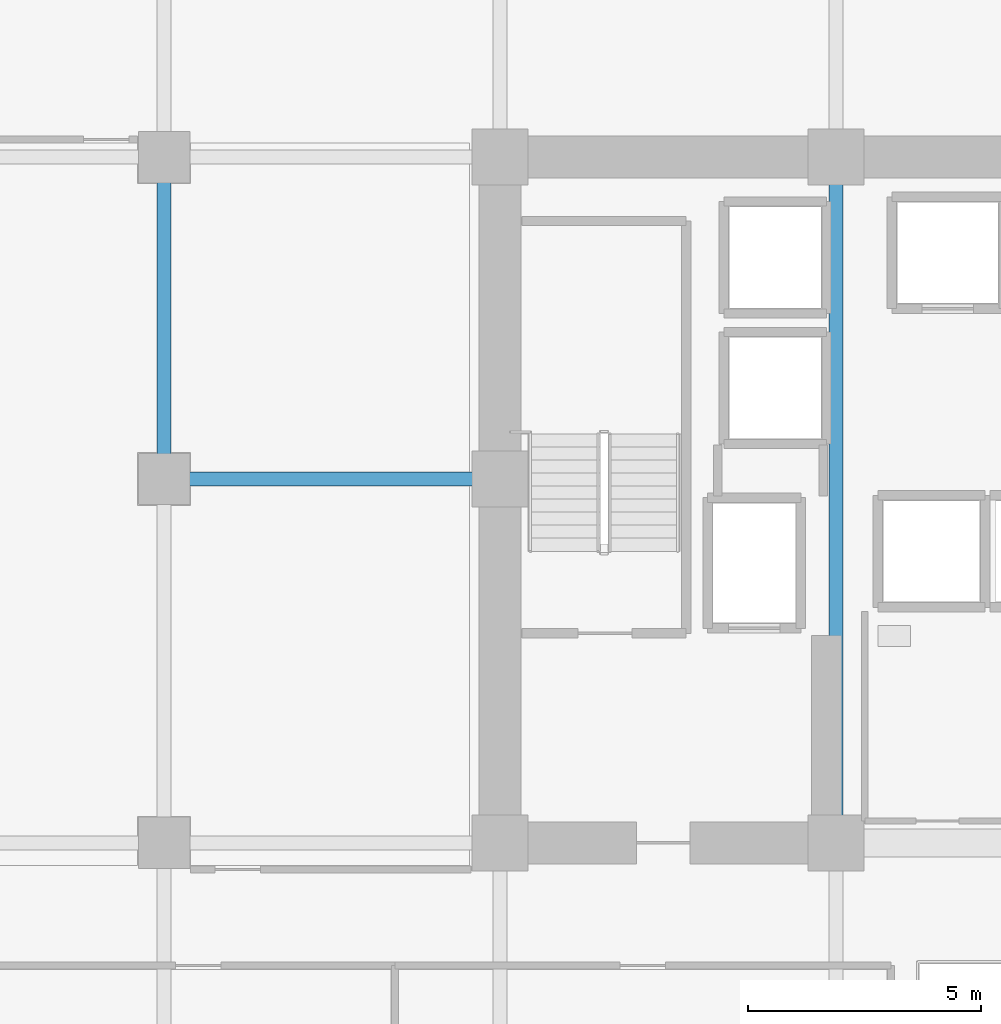
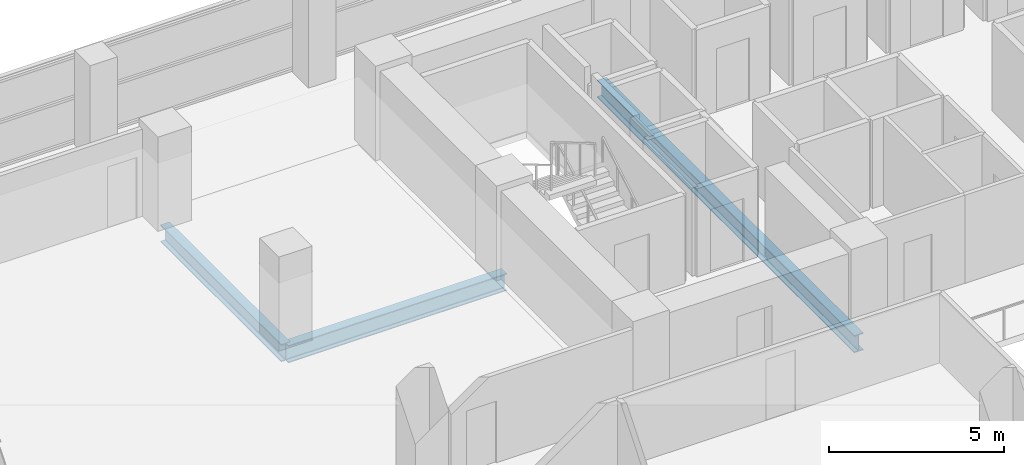
# One storey, part 11 of 30: 3 beams.
"""IFC4 building model written with IfcOpenShell, lengths in metres."""

from ifc_helpers import new_model, si_unit, direction, frame, origin, origin_2d, place, context, subcontext, project, spatial, i_section, extrude, material, material_profile, profile_set, type_object, element, save


model = new_model("IFC4")

# Units and contexts
model_context = context("Model", 3, precision=1e-05, world=origin(), true_north=direction((0.0, 1.0)))
body_context = subcontext(model_context, "Body", "Model", "MODEL_VIEW")
ifc_project = project(units=[si_unit("LENGTHUNIT", "METRE"), si_unit("AREAUNIT", "SQUARE_METRE"), si_unit("VOLUMEUNIT", "CUBIC_METRE"), si_unit("PLANEANGLEUNIT", "RADIAN"), si_unit("MASSUNIT", "GRAM", prefix="KILO")], contexts=[model_context])

# Site, building, storey
site_placement = place(None, origin())
site = spatial("IfcSite", under=ifc_project, at=site_placement, CompositionType="ELEMENT")
building_placement = place(site_placement, origin())
building = spatial("IfcBuilding", under=site, at=building_placement, Name="Zarnakvel Exchange Tower", CompositionType="ELEMENT")
storey_placement = place(building_placement, frame((0.0, 0.0, 30.699951171875)))
storey = spatial("IfcBuildingStorey", under=building, at=storey_placement, Name="L07", CompositionType="ELEMENT", Elevation=30.699951171875)

# Beams
ifc_material = material(Name="Steel S355", Category="steel")
ifc_material_profile = material_profile(ifc_material, i_section(OverallWidth=0.300048828125, OverallDepth=0.60009765625, WebThickness=0.015380859375, FlangeThickness=0.030029296875, FilletRadius=0.027099609375, at=origin_2d()))
ifc_profile_set = profile_set([ifc_material_profile], Name="Steel S355")
beam_type = type_object("IfcBeamType", Name="G-04", PredefinedType="BEAM", material=ifc_profile_set)
beam_1_placement = place(storey_placement, frame((-21.60009765625, 6.60009765625, -0.52490234375), z_axis=(1.0, 0.0, 0.0), x_axis=(0.0, 1.0, 0.0)))
element("IfcBeam", 1, at=beam_1_placement, inside=storey, type_object=beam_type, Name="L07 Tower E-W Frame Beam", PredefinedType="BEAM", context=body_context, shape_type="SweptSolid", body=[
    extrude(i_section(OverallWidth=0.300048828125, OverallDepth=0.60009765625, WebThickness=0.015380859375, FlangeThickness=0.030029296875, FilletRadius=0.027099609375, at=origin_2d()), origin(), (0.0, 0.0, 1.0), 7.2001953125),
])
beam_2_placement = place(storey_placement, frame((-21.60009765625, 6.60009765625, -0.52490234375), z_axis=(0.0, 1.0, 0.0), x_axis=(-1.0, 0.0, 0.0)))
element("IfcBeam", 2, at=beam_2_placement, inside=storey, type_object=beam_type, Name="L07 Tower N-S Frame Beam", PredefinedType="BEAM", context=body_context, shape_type="SweptSolid", body=[
    extrude(i_section(OverallWidth=0.300048828125, OverallDepth=0.60009765625, WebThickness=0.015380859375, FlangeThickness=0.030029296875, FilletRadius=0.027099609375, at=origin_2d()), origin(), (0.0, 0.0, 1.0), 6.89990234375),
])
beam_3_placement = place(storey_placement, frame((-7.199951171875, -1.199951171875, -0.52490234375), z_axis=(0.0, 1.0, 0.0), x_axis=(-1.0, 0.0, 0.0)))
element("IfcBeam", 3, at=beam_3_placement, inside=storey, type_object=beam_type, Name="L07 Tower N-S Frame Beam", PredefinedType="BEAM", context=body_context, shape_type="SweptSolid", body=[
    extrude(i_section(OverallWidth=0.300048828125, OverallDepth=0.60009765625, WebThickness=0.015380859375, FlangeThickness=0.030029296875, FilletRadius=0.027099609375, at=origin_2d()), origin(), (0.0, 0.0, 1.0), 14.699951171875),
])

save(model, "model.ifc")
